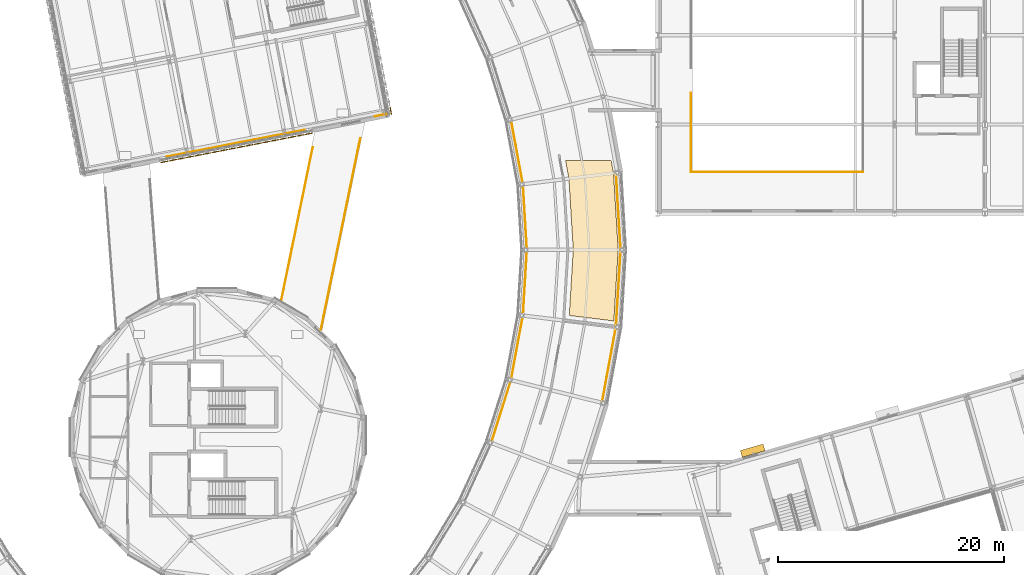
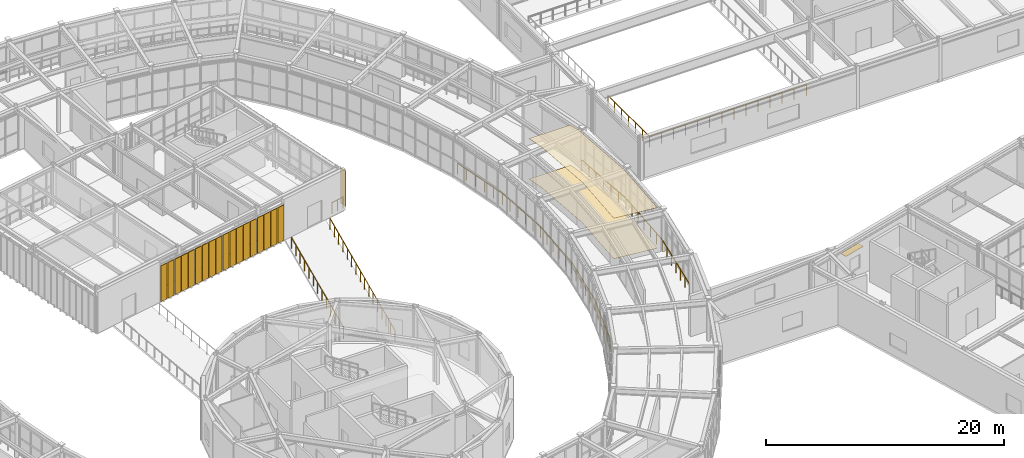
# One storey, part 96 of 103: 20 shading devices, 14 railings, 2 coverings.
"""IFC4 building model written with IfcOpenShell, lengths in metres."""

from ifc_helpers import new_model, si_unit, direction, frame, origin, origin_2d, place, context, subcontext, project, spatial, polyline, rectangle, circle, outline, extrude, material, layer, layer_set, type_object, element, save


model = new_model("IFC4")

# Units and contexts
model_context = context("Model", 3, precision=1e-05, world=origin(), true_north=direction((0.0, 1.0)))
body_context = subcontext(model_context, "Body", "Model", "MODEL_VIEW")
ifc_project = project(units=[si_unit("LENGTHUNIT", "METRE"), si_unit("AREAUNIT", "SQUARE_METRE"), si_unit("VOLUMEUNIT", "CUBIC_METRE"), si_unit("PLANEANGLEUNIT", "RADIAN"), si_unit("MASSUNIT", "GRAM", prefix="KILO")], contexts=[model_context])

# Site, building, storey
site_placement = place(None, origin())
site = spatial("IfcSite", under=ifc_project, at=site_placement, CompositionType="ELEMENT")
building_placement = place(site_placement, origin())
building = spatial("IfcBuilding", under=site, at=building_placement, Name="Varnklinge Art Gallery", CompositionType="ELEMENT")
storey_placement = place(building_placement, frame((0.0, 0.0, 5.10009765625)))
storey = spatial("IfcBuildingStorey", under=building, at=storey_placement, Name="L01", CompositionType="ELEMENT", Elevation=5.10009765625)

# Railings
ifc_material_1 = material(Name="Anodised Aluminium", Category="aluminium")
railing_type_1 = type_object("IfcRailingType", Name="BAL-01", PredefinedType="BALUSTRADE", material=ifc_material_1)
railing_1_placement = place(storey_placement, frame((99.69482421875, 37.90576171875, 0.0)))
element("IfcRailing", 1, at=railing_1_placement, inside=storey, type_object=railing_type_1, Name="L01 Ring Inner Glazing Guard 04", PredefinedType="BALUSTRADE", context=body_context, shape_type="SweptSolid", body=[
    extrude(circle(Radius=0.02392578125, at=origin_2d()), frame((0.0, 0.0, 1.11572265625), z_axis=(0.299728477264, 0.954024548907, 0.0), x_axis=(-0.954024548907, 0.299728477264, 0.0)), (0.0, 0.0, 1.0), 5.8232421875),
    extrude(circle(Radius=0.02099609375, at=origin_2d()), origin(), (0.0, 0.0, 1.0), 1.091796875),
    extrude(circle(Radius=0.02099609375, at=origin_2d()), frame((0.34912109375, 1.111083984375, 0.0)), (0.0, 0.0, 1.0), 1.091796875),
    extrude(circle(Radius=0.02099609375, at=origin_2d()), frame((0.6982421875, 2.22216796875, 0.0)), (0.0, 0.0, 1.0), 1.091796875),
    extrude(circle(Radius=0.02099609375, at=origin_2d()), frame((1.047119140625, 3.333251953125, 0.0)), (0.0, 0.0, 1.0), 1.091796875),
    extrude(circle(Radius=0.02099609375, at=origin_2d()), frame((1.396240234375, 4.4443359375, 0.0)), (0.0, 0.0, 1.0), 1.091796875),
    extrude(circle(Radius=0.02099609375, at=origin_2d()), frame((1.745361328125, 5.555419921875, 0.0)), (0.0, 0.0, 1.0), 1.091796875),
])
railing_2_placement = place(storey_placement, frame((109.490966796875, 41.4609375, 0.0)))
element("IfcRailing", 2, at=railing_2_placement, inside=storey, type_object=railing_type_1, Name="L01 Ring Outer Glazing Guard 05", PredefinedType="BALUSTRADE", context=body_context, shape_type="SweptSolid", body=[
    extrude(circle(Radius=0.02392578125, at=origin_2d()), frame((0.0, 0.0, 1.11572265625), z_axis=(0.18162349741, 0.983368143265, 0.0), x_axis=(-0.983368143265, 0.18162349741, 0.0)), (0.0, 0.0, 1.0), 6.83251953125),
    extrude(circle(Radius=0.02099609375, at=origin_2d()), origin(), (0.0, 0.0, 1.0), 1.091796875),
    extrude(circle(Radius=0.02099609375, at=origin_2d()), frame((0.206787109375, 1.119873046875, 0.0)), (0.0, 0.0, 1.0), 1.091796875),
    extrude(circle(Radius=0.02099609375, at=origin_2d()), frame((0.41357421875, 2.23974609375, 0.0)), (0.0, 0.0, 1.0), 1.091796875),
    extrude(circle(Radius=0.02099609375, at=origin_2d()), frame((0.62060546875, 3.359375, 0.0)), (0.0, 0.0, 1.0), 1.091796875),
    extrude(circle(Radius=0.02099609375, at=origin_2d()), frame((0.827392578125, 4.479248046875, 0.0)), (0.0, 0.0, 1.0), 1.091796875),
    extrude(circle(Radius=0.02099609375, at=origin_2d()), frame((1.0341796875, 5.59912109375, 0.0)), (0.0, 0.0, 1.0), 1.091796875),
    extrude(circle(Radius=0.02099609375, at=origin_2d()), frame((1.240966796875, 6.718994140625, 0.0)), (0.0, 0.0, 1.0), 1.091796875),
])
railing_3_placement = place(storey_placement, frame((101.440185546875, 43.461181640625, 0.0)))
element("IfcRailing", 3, at=railing_3_placement, inside=storey, type_object=railing_type_1, Name="L01 Ring Inner Glazing Guard 05", PredefinedType="BALUSTRADE", context=body_context, shape_type="SweptSolid", body=[
    extrude(circle(Radius=0.02392578125, at=origin_2d()), frame((0.0, 0.0, 1.11572265625), z_axis=(0.181662871488, 0.983360870242, 0.0), x_axis=(-0.983360870242, 0.181662871488, 0.0)), (0.0, 0.0, 1.0), 5.8232421875),
    extrude(circle(Radius=0.02099609375, at=origin_2d()), origin(), (0.0, 0.0, 1.0), 1.091796875),
    extrude(circle(Radius=0.02099609375, at=origin_2d()), frame((0.211669921875, 1.145263671875, 0.0)), (0.0, 0.0, 1.0), 1.091796875),
    extrude(circle(Radius=0.02099609375, at=origin_2d()), frame((0.423095703125, 2.29052734375, 0.0)), (0.0, 0.0, 1.0), 1.091796875),
    extrude(circle(Radius=0.02099609375, at=origin_2d()), frame((0.634765625, 3.435791015625, 0.0)), (0.0, 0.0, 1.0), 1.091796875),
    extrude(circle(Radius=0.02099609375, at=origin_2d()), frame((0.84619140625, 4.5810546875, 0.0)), (0.0, 0.0, 1.0), 1.091796875),
    extrude(circle(Radius=0.02099609375, at=origin_2d()), frame((1.057861328125, 5.726318359375, 0.0)), (0.0, 0.0, 1.0), 1.091796875),
])
railing_4_placement = place(storey_placement, frame((110.73193359375, 48.179931640625, 0.0)))
element("IfcRailing", 4, at=railing_4_placement, inside=storey, type_object=railing_type_1, Name="L01 Ring Outer Glazing Guard 06", PredefinedType="BALUSTRADE", context=body_context, shape_type="SweptSolid", body=[
    extrude(circle(Radius=0.02392578125, at=origin_2d()), frame((0.0, 0.0, 1.11572265625), z_axis=(0.060849980663, 0.998146922979, 0.0), x_axis=(-0.998146922979, 0.060849980663, 0.0)), (0.0, 0.0, 1.0), 6.832763671875),
    extrude(circle(Radius=0.02099609375, at=origin_2d()), origin(), (0.0, 0.0, 1.0), 1.091796875),
    extrude(circle(Radius=0.02099609375, at=origin_2d()), frame((0.0693359375, 1.13671875, 0.0)), (0.0, 0.0, 1.0), 1.091796875),
    extrude(circle(Radius=0.02099609375, at=origin_2d()), frame((0.138671875, 2.2734375, 0.0)), (0.0, 0.0, 1.0), 1.091796875),
    extrude(circle(Radius=0.02099609375, at=origin_2d()), frame((0.2080078125, 3.41015625, 0.0)), (0.0, 0.0, 1.0), 1.091796875),
    extrude(circle(Radius=0.02099609375, at=origin_2d()), frame((0.277099609375, 4.546630859375, 0.0)), (0.0, 0.0, 1.0), 1.091796875),
    extrude(circle(Radius=0.02099609375, at=origin_2d()), frame((0.346435546875, 5.683349609375, 0.0)), (0.0, 0.0, 1.0), 1.091796875),
    extrude(circle(Radius=0.02099609375, at=origin_2d()), frame((0.415771484375, 6.820068359375, 0.0)), (0.0, 0.0, 1.0), 1.091796875),
])
railing_5_placement = place(storey_placement, frame((102.498046875, 49.1875, 0.0)))
element("IfcRailing", 5, at=railing_5_placement, inside=storey, type_object=railing_type_1, Name="L01 Ring Inner Glazing Guard 06", PredefinedType="BALUSTRADE", context=body_context, shape_type="SweptSolid", body=[
    extrude(circle(Radius=0.02392578125, at=origin_2d()), frame((0.0, 0.0, 1.11572265625), z_axis=(0.060833026075, 0.998147956437, 0.0), x_axis=(-0.998147956437, 0.060833026075, 0.0)), (0.0, 0.0, 1.0), 5.8232421875),
    extrude(circle(Radius=0.02099609375, at=origin_2d()), origin(), (0.0, 0.0, 1.0), 1.091796875),
    extrude(circle(Radius=0.02099609375, at=origin_2d()), frame((0.07080078125, 1.16259765625, 0.0)), (0.0, 0.0, 1.0), 1.091796875),
    extrude(circle(Radius=0.02099609375, at=origin_2d()), frame((0.1416015625, 2.324951171875, 0.0)), (0.0, 0.0, 1.0), 1.091796875),
    extrude(circle(Radius=0.02099609375, at=origin_2d()), frame((0.212646484375, 3.487548828125, 0.0)), (0.0, 0.0, 1.0), 1.091796875),
    extrude(circle(Radius=0.02099609375, at=origin_2d()), frame((0.283447265625, 4.64990234375, 0.0)), (0.0, 0.0, 1.0), 1.091796875),
    extrude(circle(Radius=0.02099609375, at=origin_2d()), frame((0.354248046875, 5.8125, 0.0)), (0.0, 0.0, 1.0), 1.091796875),
])
railing_6_placement = place(storey_placement, frame((111.147705078125, 55.0, 0.0)))
element("IfcRailing", 6, at=railing_6_placement, inside=storey, type_object=railing_type_1, Name="L01 Ring Outer Glazing Guard 07", PredefinedType="BALUSTRADE", context=body_context, shape_type="SweptSolid", body=[
    extrude(circle(Radius=0.02392578125, at=origin_2d()), frame((0.0, 0.0, 1.11572265625), z_axis=(-0.060849980663, 0.998146922979, 0.0), x_axis=(-0.998146922979, -0.060849980663, 0.0)), (0.0, 0.0, 1.0), 6.832763671875),
    extrude(circle(Radius=0.02099609375, at=origin_2d()), origin(), (0.0, 0.0, 1.0), 1.091796875),
    extrude(circle(Radius=0.02099609375, at=origin_2d()), frame((-0.0693359375, 1.13671875, 0.0)), (0.0, 0.0, 1.0), 1.091796875),
    extrude(circle(Radius=0.02099609375, at=origin_2d()), frame((-0.138671875, 2.2734375, 0.0)), (0.0, 0.0, 1.0), 1.091796875),
    extrude(circle(Radius=0.02099609375, at=origin_2d()), frame((-0.2080078125, 3.41015625, 0.0)), (0.0, 0.0, 1.0), 1.091796875),
    extrude(circle(Radius=0.02099609375, at=origin_2d()), frame((-0.277099609375, 4.546630859375, 0.0)), (0.0, 0.0, 1.0), 1.091796875),
    extrude(circle(Radius=0.02099609375, at=origin_2d()), frame((-0.346435546875, 5.683349609375, 0.0)), (0.0, 0.0, 1.0), 1.091796875),
    extrude(circle(Radius=0.02099609375, at=origin_2d()), frame((-0.415771484375, 6.820068359375, 0.0)), (0.0, 0.0, 1.0), 1.091796875),
])
railing_7_placement = place(storey_placement, frame((102.852294921875, 55.0, 0.0)))
element("IfcRailing", 7, at=railing_7_placement, inside=storey, type_object=railing_type_1, Name="L01 Ring Inner Glazing Guard 07", PredefinedType="BALUSTRADE", context=body_context, shape_type="SweptSolid", body=[
    extrude(circle(Radius=0.02392578125, at=origin_2d()), frame((0.0, 0.0, 1.11572265625), z_axis=(-0.060833026075, 0.998147956437, 0.0), x_axis=(-0.998147956437, -0.060833026075, 0.0)), (0.0, 0.0, 1.0), 5.8232421875),
    extrude(circle(Radius=0.02099609375, at=origin_2d()), origin(), (0.0, 0.0, 1.0), 1.091796875),
    extrude(circle(Radius=0.02099609375, at=origin_2d()), frame((-0.07080078125, 1.16259765625, 0.0)), (0.0, 0.0, 1.0), 1.091796875),
    extrude(circle(Radius=0.02099609375, at=origin_2d()), frame((-0.1416015625, 2.324951171875, 0.0)), (0.0, 0.0, 1.0), 1.091796875),
    extrude(circle(Radius=0.02099609375, at=origin_2d()), frame((-0.212646484375, 3.487548828125, 0.0)), (0.0, 0.0, 1.0), 1.091796875),
    extrude(circle(Radius=0.02099609375, at=origin_2d()), frame((-0.283447265625, 4.64990234375, 0.0)), (0.0, 0.0, 1.0), 1.091796875),
    extrude(circle(Radius=0.02099609375, at=origin_2d()), frame((-0.354248046875, 5.8125, 0.0)), (0.0, 0.0, 1.0), 1.091796875),
])
railing_8_placement = place(storey_placement, frame((102.498046875, 60.8125, 0.0)))
element("IfcRailing", 8, at=railing_8_placement, inside=storey, type_object=railing_type_1, Name="L01 Ring Inner Glazing Guard 08", PredefinedType="BALUSTRADE", context=body_context, shape_type="SweptSolid", body=[
    extrude(circle(Radius=0.02392578125, at=origin_2d()), frame((0.0, 0.0, 1.11572265625), z_axis=(-0.181662871488, 0.983360870242, 0.0), x_axis=(-0.983360870242, -0.181662871488, 0.0)), (0.0, 0.0, 1.0), 5.8232421875),
    extrude(circle(Radius=0.02099609375, at=origin_2d()), origin(), (0.0, 0.0, 1.0), 1.091796875),
    extrude(circle(Radius=0.02099609375, at=origin_2d()), frame((-0.211669921875, 1.145263671875, 0.0)), (0.0, 0.0, 1.0), 1.091796875),
    extrude(circle(Radius=0.02099609375, at=origin_2d()), frame((-0.423095703125, 2.29052734375, 0.0)), (0.0, 0.0, 1.0), 1.091796875),
    extrude(circle(Radius=0.02099609375, at=origin_2d()), frame((-0.634765625, 3.435791015625, 0.0)), (0.0, 0.0, 1.0), 1.091796875),
    extrude(circle(Radius=0.02099609375, at=origin_2d()), frame((-0.84619140625, 4.5810546875, 0.0)), (0.0, 0.0, 1.0), 1.091796875),
    extrude(circle(Radius=0.02099609375, at=origin_2d()), frame((-1.057861328125, 5.726318359375, 0.0)), (0.0, 0.0, 1.0), 1.091796875),
])
railing_9_placement = place(storey_placement, frame((70.9892578125, 63.24951171875, 0.0)))
element("IfcRailing", 9, at=railing_9_placement, inside=storey, type_object=railing_type_1, Name="BAL-V4B-L01-1-1-2", PredefinedType="BALUSTRADE", context=body_context, shape_type="SweptSolid", body=[
    extrude(circle(Radius=0.02392578125, at=origin_2d()), frame((0.0, 0.0, 1.11572265625), z_axis=(0.981627698092, 0.190806347742, 0.0), x_axis=(-0.190806347742, 0.981627698092, 0.0)), (0.0, 0.0, 1.0), 12.3857421875),
    extrude(circle(Radius=0.02099609375, at=origin_2d()), origin(), (0.0, 0.0, 1.0), 1.091796875),
    extrude(circle(Radius=0.02099609375, at=origin_2d()), frame((1.105224609375, 0.21484375, 0.0)), (0.0, 0.0, 1.0), 1.091796875),
    extrude(circle(Radius=0.02099609375, at=origin_2d()), frame((2.210693359375, 0.4296875, 0.0)), (0.0, 0.0, 1.0), 1.091796875),
    extrude(circle(Radius=0.02099609375, at=origin_2d()), frame((3.31591796875, 0.64453125, 0.0)), (0.0, 0.0, 1.0), 1.091796875),
    extrude(circle(Radius=0.02099609375, at=origin_2d()), frame((4.421142578125, 0.859375, 0.0)), (0.0, 0.0, 1.0), 1.091796875),
    extrude(circle(Radius=0.02099609375, at=origin_2d()), frame((5.5263671875, 1.07421875, 0.0)), (0.0, 0.0, 1.0), 1.091796875),
    extrude(circle(Radius=0.02099609375, at=origin_2d()), frame((6.6318359375, 1.2890625, 0.0)), (0.0, 0.0, 1.0), 1.091796875),
    extrude(circle(Radius=0.02099609375, at=origin_2d()), frame((7.737060546875, 1.50390625, 0.0)), (0.0, 0.0, 1.0), 1.091796875),
    extrude(circle(Radius=0.02099609375, at=origin_2d()), frame((8.84228515625, 1.71875, 0.0)), (0.0, 0.0, 1.0), 1.091796875),
    extrude(circle(Radius=0.02099609375, at=origin_2d()), frame((9.947509765625, 1.93359375, 0.0)), (0.0, 0.0, 1.0), 1.091796875),
    extrude(circle(Radius=0.02099609375, at=origin_2d()), frame((11.052978515625, 2.1484375, 0.0)), (0.0, 0.0, 1.0), 1.091796875),
    extrude(circle(Radius=0.02099609375, at=origin_2d()), frame((12.158203125, 2.36328125, 0.0)), (0.0, 0.0, 1.0), 1.091796875),
])
railing_10_placement = place(storey_placement, frame((89.41259765625, 66.83056640625, 0.0)))
element("IfcRailing", 10, at=railing_10_placement, inside=storey, type_object=railing_type_1, Name="BAL-V4B-L01-1-1-3", PredefinedType="BALUSTRADE", context=body_context, shape_type="SweptSolid", body=[
    extrude(circle(Radius=0.02392578125, at=origin_2d()), frame((0.0, 0.0, 1.11572265625), z_axis=(0.981639240836, 0.190746955021, 0.0), x_axis=(-0.190746955021, 0.981639240836, 0.0)), (0.0, 0.0, 1.0), 1.224853515625),
    extrude(circle(Radius=0.02099609375, at=origin_2d()), origin(), (0.0, 0.0, 1.0), 1.091796875),
    extrude(circle(Radius=0.02099609375, at=origin_2d()), frame((0.60107421875, 0.11669921875, 0.0)), (0.0, 0.0, 1.0), 1.091796875),
    extrude(circle(Radius=0.02099609375, at=origin_2d()), frame((1.202392578125, 0.233642578125, 0.0)), (0.0, 0.0, 1.0), 1.091796875),
])
railing_11_placement = place(storey_placement, frame((117.3798828125, 61.8798828125, 0.0)))
element("IfcRailing", 11, at=railing_11_placement, inside=storey, type_object=railing_type_1, Name="L01 Atrium Void Balustrade 1.3A", PredefinedType="BALUSTRADE", context=body_context, shape_type="SweptSolid", body=[
    extrude(circle(Radius=0.02392578125, at=origin_2d()), frame((0.0, 0.0, 1.11572265625), z_axis=(0.0, 1.0, 0.0), x_axis=(-1.0, 0.0, 0.0)), (0.0, 0.0, 1.0), 7.0),
    extrude(circle(Radius=0.02099609375, at=origin_2d()), origin(), (0.0, 0.0, 1.0), 1.091796875),
    extrude(circle(Radius=0.02099609375, at=origin_2d()), frame((0.0, 1.166748046875, 0.0)), (0.0, 0.0, 1.0), 1.091796875),
    extrude(circle(Radius=0.02099609375, at=origin_2d()), frame((0.0, 2.333251953125, 0.0)), (0.0, 0.0, 1.0), 1.091796875),
    extrude(circle(Radius=0.02099609375, at=origin_2d()), frame((0.0, 3.5, 0.0)), (0.0, 0.0, 1.0), 1.091796875),
    extrude(circle(Radius=0.02099609375, at=origin_2d()), frame((0.0, 4.666748046875, 0.0)), (0.0, 0.0, 1.0), 1.091796875),
    extrude(circle(Radius=0.02099609375, at=origin_2d()), frame((0.0, 5.833251953125, 0.0)), (0.0, 0.0, 1.0), 1.091796875),
    extrude(circle(Radius=0.02099609375, at=origin_2d()), frame((0.0, 7.0, 0.0)), (0.0, 0.0, 1.0), 1.091796875),
])
railing_12_placement = place(storey_placement, frame((117.3798828125, 61.8798828125, 0.0)))
element("IfcRailing", 12, at=railing_12_placement, inside=storey, type_object=railing_type_1, Name="L01 Atrium Void Balustrade 1.4", PredefinedType="BALUSTRADE", context=body_context, shape_type="SweptSolid", body=[
    extrude(circle(Radius=0.02392578125, at=origin_2d()), frame((0.0, 0.0, 1.11572265625), z_axis=(1.0, 0.0, 0.0), x_axis=(0.0, 1.0, 0.0)), (0.0, 0.0, 1.0), 15.240234375),
    extrude(circle(Radius=0.02099609375, at=origin_2d()), origin(), (0.0, 0.0, 1.0), 1.091796875),
    extrude(circle(Radius=0.02099609375, at=origin_2d()), frame((1.17236328125, 0.0, 0.0)), (0.0, 0.0, 1.0), 1.091796875),
    extrude(circle(Radius=0.02099609375, at=origin_2d()), frame((2.3447265625, 0.0, 0.0)), (0.0, 0.0, 1.0), 1.091796875),
    extrude(circle(Radius=0.02099609375, at=origin_2d()), frame((3.51708984375, 0.0, 0.0)), (0.0, 0.0, 1.0), 1.091796875),
    extrude(circle(Radius=0.02099609375, at=origin_2d()), frame((4.689208984375, 0.0, 0.0)), (0.0, 0.0, 1.0), 1.091796875),
    extrude(circle(Radius=0.02099609375, at=origin_2d()), frame((5.861572265625, 0.0, 0.0)), (0.0, 0.0, 1.0), 1.091796875),
    extrude(circle(Radius=0.02099609375, at=origin_2d()), frame((7.033935546875, 0.0, 0.0)), (0.0, 0.0, 1.0), 1.091796875),
    extrude(circle(Radius=0.02099609375, at=origin_2d()), frame((8.206298828125, 0.0, 0.0)), (0.0, 0.0, 1.0), 1.091796875),
    extrude(circle(Radius=0.02099609375, at=origin_2d()), frame((9.378662109375, 0.0, 0.0)), (0.0, 0.0, 1.0), 1.091796875),
    extrude(circle(Radius=0.02099609375, at=origin_2d()), frame((10.551025390625, 0.0, 0.0)), (0.0, 0.0, 1.0), 1.091796875),
    extrude(circle(Radius=0.02099609375, at=origin_2d()), frame((11.72314453125, 0.0, 0.0)), (0.0, 0.0, 1.0), 1.091796875),
    extrude(circle(Radius=0.02099609375, at=origin_2d()), frame((12.8955078125, 0.0, 0.0)), (0.0, 0.0, 1.0), 1.091796875),
    extrude(circle(Radius=0.02099609375, at=origin_2d()), frame((14.06787109375, 0.0, 0.0)), (0.0, 0.0, 1.0), 1.091796875),
    extrude(circle(Radius=0.02099609375, at=origin_2d()), frame((15.240234375, 0.0, 0.0)), (0.0, 0.0, 1.0), 1.091796875),
])
ifc_material_2 = material(Name="Anodised Aluminium", Category="aluminium")
railing_type_2 = type_object("IfcRailingType", Name="BAL-EXT", PredefinedType="BALUSTRADE", material=ifc_material_2)
railing_13_placement = place(storey_placement, frame((84.616455078125, 47.962158203125, 0.0)))
element("IfcRailing", 13, at=railing_13_placement, inside=storey, type_object=railing_type_2, Name="L01 East Sculpture Court Bridge Balustrade W1", PredefinedType="BALUSTRADE", context=body_context, shape_type="SweptSolid", body=[
    extrude(circle(Radius=0.02392578125, at=origin_2d()), frame((0.0, 0.0, 1.1357421875), z_axis=(0.20142494203, 0.97950395238, 0.0), x_axis=(-0.97950395238, 0.20142494203, 0.0)), (0.0, 0.0, 1.0), 17.253662109375),
    extrude(circle(Radius=0.02099609375, at=origin_2d()), origin(), (0.0, 0.0, 1.0), 1.11181640625),
    extrude(circle(Radius=0.02099609375, at=origin_2d()), frame((0.231689453125, 1.126708984375, 0.0)), (0.0, 0.0, 1.0), 1.11181640625),
    extrude(circle(Radius=0.02099609375, at=origin_2d()), frame((0.46337890625, 2.25341796875, 0.0)), (0.0, 0.0, 1.0), 1.11181640625),
    extrude(circle(Radius=0.02099609375, at=origin_2d()), frame((0.695068359375, 3.380126953125, 0.0)), (0.0, 0.0, 1.0), 1.11181640625),
    extrude(circle(Radius=0.02099609375, at=origin_2d()), frame((0.9267578125, 4.506591796875, 0.0)), (0.0, 0.0, 1.0), 1.11181640625),
    extrude(circle(Radius=0.02099609375, at=origin_2d()), frame((1.158447265625, 5.63330078125, 0.0)), (0.0, 0.0, 1.0), 1.11181640625),
    extrude(circle(Radius=0.02099609375, at=origin_2d()), frame((1.39013671875, 6.760009765625, 0.0)), (0.0, 0.0, 1.0), 1.11181640625),
    extrude(circle(Radius=0.02099609375, at=origin_2d()), frame((1.621826171875, 7.88671875, 0.0)), (0.0, 0.0, 1.0), 1.11181640625),
    extrude(circle(Radius=0.02099609375, at=origin_2d()), frame((1.853515625, 9.013427734375, 0.0)), (0.0, 0.0, 1.0), 1.11181640625),
    extrude(circle(Radius=0.02099609375, at=origin_2d()), frame((2.085205078125, 10.14013671875, 0.0)), (0.0, 0.0, 1.0), 1.11181640625),
    extrude(circle(Radius=0.02099609375, at=origin_2d()), frame((2.31689453125, 11.266845703125, 0.0)), (0.0, 0.0, 1.0), 1.11181640625),
    extrude(circle(Radius=0.02099609375, at=origin_2d()), frame((2.548583984375, 12.3935546875, 0.0)), (0.0, 0.0, 1.0), 1.11181640625),
    extrude(circle(Radius=0.02099609375, at=origin_2d()), frame((2.7802734375, 13.52001953125, 0.0)), (0.0, 0.0, 1.0), 1.11181640625),
    extrude(circle(Radius=0.02099609375, at=origin_2d()), frame((3.011962890625, 14.646728515625, 0.0)), (0.0, 0.0, 1.0), 1.11181640625),
    extrude(circle(Radius=0.02099609375, at=origin_2d()), frame((3.24365234375, 15.7734375, 0.0)), (0.0, 0.0, 1.0), 1.11181640625),
    extrude(circle(Radius=0.02099609375, at=origin_2d()), frame((3.475341796875, 16.900146484375, 0.0)), (0.0, 0.0, 1.0), 1.11181640625),
])
railing_14_placement = place(storey_placement, frame((81.084228515625, 50.4453125, 0.0)))
element("IfcRailing", 14, at=railing_14_placement, inside=storey, type_object=railing_type_2, Name="L01 East Sculpture Court Bridge Balustrade E1", PredefinedType="BALUSTRADE", context=body_context, shape_type="SweptSolid", body=[
    extrude(circle(Radius=0.02392578125, at=origin_2d()), frame((0.0, 0.0, 1.1357421875), z_axis=(0.201432069755, 0.97950248661, 0.0), x_axis=(-0.97950248661, 0.201432069755, 0.0)), (0.0, 0.0, 1.0), 13.91162109375),
    extrude(circle(Radius=0.02099609375, at=origin_2d()), origin(), (0.0, 0.0, 1.0), 1.11181640625),
    extrude(circle(Radius=0.02099609375, at=origin_2d()), frame((0.2333984375, 1.135498046875, 0.0)), (0.0, 0.0, 1.0), 1.11181640625),
    extrude(circle(Radius=0.02099609375, at=origin_2d()), frame((0.467041015625, 2.27099609375, 0.0)), (0.0, 0.0, 1.0), 1.11181640625),
    extrude(circle(Radius=0.02099609375, at=origin_2d()), frame((0.70068359375, 3.40673828125, 0.0)), (0.0, 0.0, 1.0), 1.11181640625),
    extrude(circle(Radius=0.02099609375, at=origin_2d()), frame((0.93408203125, 4.542236328125, 0.0)), (0.0, 0.0, 1.0), 1.11181640625),
    extrude(circle(Radius=0.02099609375, at=origin_2d()), frame((1.16748046875, 5.677734375, 0.0)), (0.0, 0.0, 1.0), 1.11181640625),
    extrude(circle(Radius=0.02099609375, at=origin_2d()), frame((1.401123046875, 6.813232421875, 0.0)), (0.0, 0.0, 1.0), 1.11181640625),
    extrude(circle(Radius=0.02099609375, at=origin_2d()), frame((1.634765625, 7.94873046875, 0.0)), (0.0, 0.0, 1.0), 1.11181640625),
    extrude(circle(Radius=0.02099609375, at=origin_2d()), frame((1.8681640625, 9.084228515625, 0.0)), (0.0, 0.0, 1.0), 1.11181640625),
    extrude(circle(Radius=0.02099609375, at=origin_2d()), frame((2.1015625, 10.2197265625, 0.0)), (0.0, 0.0, 1.0), 1.11181640625),
    extrude(circle(Radius=0.02099609375, at=origin_2d()), frame((2.335205078125, 11.35546875, 0.0)), (0.0, 0.0, 1.0), 1.11181640625),
    extrude(circle(Radius=0.02099609375, at=origin_2d()), frame((2.56884765625, 12.490966796875, 0.0)), (0.0, 0.0, 1.0), 1.11181640625),
    extrude(circle(Radius=0.02099609375, at=origin_2d()), frame((2.80224609375, 13.62646484375, 0.0)), (0.0, 0.0, 1.0), 1.11181640625),
])

# Coverings
ifc_material_3 = material(Name="Acoustic Mineral Tile", Category="mineral")
ifc_layer_1 = layer(ifc_material_3, 0.02490234375)
ifc_layer_set_1 = layer_set([ifc_layer_1], Name="Acoustic Mineral Tile")
covering_type_1 = type_object("IfcCoveringType", Name="CLG-AC", PredefinedType="CEILING", material=ifc_layer_set_1)
covering_1_placement = place(storey_placement, frame((0.0, 0.0, 4.15478515625)))
element("IfcCovering", 15, at=covering_1_placement, inside=storey, type_object=covering_type_1, Name="L01 Acoustic Mineral Ceiling 018", PredefinedType="CEILING", context=body_context, shape_type="SweptSolid", body=[
    extrude(outline(polyline([(110.543701171875, 48.706787109375), (110.92724609375, 55.0), (110.51318359375, 61.793212890625), (110.30859375, 62.89990234375), (106.26953125, 62.89990234375), (106.557861328125, 61.33984375), (106.565185546875, 61.279296875), (106.946044921875, 55.030517578125), (106.946044921875, 54.969482421875), (106.59375, 49.190185546875), (110.543701171875, 48.706787109375)])), origin(), (0.0, 0.0, 1.0), 0.025146484375),
])
ifc_material_4 = material(Name="Polished Terrazzo Flooring", Category="stone")
ifc_layer_2 = layer(ifc_material_4, 0.02001953125)
ifc_layer_set_2 = layer_set([ifc_layer_2], Name="Polished Terrazzo Flooring")
covering_type_2 = type_object("IfcCoveringType", Name="FLR-STN", PredefinedType="FLOORING", material=ifc_layer_set_2)
covering_2_placement = place(storey_placement, origin())
element("IfcCovering", 16, at=covering_2_placement, inside=storey, type_object=covering_type_2, Name="L01 Gallery Terrazzo Flooring 018", PredefinedType="FLOORING", context=body_context, shape_type="SweptSolid", body=[
    extrude(outline(polyline([(110.543701171875, 48.706787109375), (110.92724609375, 55.0), (110.51318359375, 61.793212890625), (110.30859375, 62.89990234375), (106.26953125, 62.89990234375), (106.557861328125, 61.33984375), (106.565185546875, 61.279296875), (106.946044921875, 55.030517578125), (106.946044921875, 54.969482421875), (106.59375, 49.190185546875), (110.543701171875, 48.706787109375)])), origin(), (0.0, 0.0, 1.0), 0.02001953125),
])

# Shading devices
ifc_material_5 = material(Name="Anodised Aluminium", Category="aluminium")
ifc_layer_3 = layer(ifc_material_5, 0.044921875)
ifc_layer_set_3 = layer_set([ifc_layer_3], Name="Anodised Aluminium")
shading_device_type_1 = type_object("IfcShadingDeviceType", Name="SHD-FIN", PredefinedType="JALOUSIE", material=ifc_layer_set_3)
shading_device_placement = place(storey_placement, frame((122.835205078125, 37.220947265625, 2.47509765625), z_axis=(0.0, 0.0, 1.0), x_axis=(0.961261695938, 0.275637355817, 0.0)))
element("IfcShadingDevice", 17, at=shading_device_placement, inside=storey, type_object=shading_device_type_1, Name="L01 Studio Solar Brise-Soleil Fin EW-V6-L01-02.1", PredefinedType="JALOUSIE", context=body_context, shape_type="SweptSolid", body=[
    extrude(rectangle(XDim=2.10009765625, YDim=0.6201171875, at=origin_2d()), origin(), (0.0, 0.0, 1.0), 0.050048828125),
])
ifc_material_6 = material(Name="Perforated Aluminium-Precast Lattice", Category="concrete")
ifc_layer_4 = layer(ifc_material_6, 0.06005859375)
ifc_layer_set_4 = layer_set([ifc_layer_4], Name="Perforated Aluminium-Precast Lattice")
shading_device_type_2 = type_object("IfcShadingDeviceType", Name="SHD-LAT", PredefinedType="USERDEFINED", material=ifc_layer_set_4)
for number, where, z_axis, x_axis, name in (
    (18, (70.747802734375, 62.794921875, 0.099853515625), (0.0, 0.0, 1.0), (0.981627183448, 0.190808995377, 0.0), "L01 Perforated Lattice Screen 1.2.1"),
    (19, (71.50048828125, 62.941162109375, 0.099853515625), (0.0, 0.0, 1.0), (0.981627183448, 0.190808995377, 0.0), "L01 Perforated Lattice Screen 1.2.2"),
    (20, (72.2529296875, 63.08740234375, 0.099853515625), (0.0, 0.0, 1.0), (0.981627183448, 0.190808995377, 0.0), "L01 Perforated Lattice Screen 1.2.3"),
    (21, (73.005615234375, 63.23388671875, 0.099853515625), (0.0, 0.0, 1.0), (0.981627183448, 0.190808995377, 0.0), "L01 Perforated Lattice Screen 1.2.4"),
    (22, (73.75830078125, 63.380126953125, 0.099853515625), (0.0, 0.0, 1.0), (0.981627183448, 0.190808995377, 0.0), "L01 Perforated Lattice Screen 1.2.5"),
    (23, (74.5107421875, 63.5263671875, 0.099853515625), (0.0, 0.0, 1.0), (0.981627183448, 0.190808995377, 0.0), "L01 Perforated Lattice Screen 1.2.6"),
    (24, (75.26318359375, 63.672607421875, 0.099853515625), (0.0, 0.0, 1.0), (0.981627183448, 0.190808995377, 0.0), "L01 Perforated Lattice Screen 1.2.7"),
    (25, (76.015869140625, 63.819091796875, 0.099853515625), (0.0, 0.0, 1.0), (0.981627183448, 0.190808995377, 0.0), "L01 Perforated Lattice Screen 1.2.8"),
    (26, (76.7685546875, 63.965087890625, 0.099853515625), (0.0, 0.0, 1.0), (0.981627183448, 0.190808995377, 0.0), "L01 Perforated Lattice Screen 1.2.9"),
    (27, (77.52099609375, 64.111572265625, 0.099853515625), (0.0, 0.0, 1.0), (0.981627183448, 0.190808995377, 0.0), "L01 Perforated Lattice Screen 1.3.1"),
    (28, (78.273681640625, 64.2578125, 0.099853515625), (0.0, 0.0, 1.0), (0.981627183448, 0.190808995377, 0.0), "L01 Perforated Lattice Screen 1.3.2"),
    (29, (79.026123046875, 64.404052734375, 0.099853515625), (0.0, 0.0, 1.0), (0.981627183448, 0.190808995377, 0.0), "L01 Perforated Lattice Screen 1.3.3"),
    (30, (79.77880859375, 64.55029296875, 0.099853515625), (0.0, 0.0, 1.0), (0.981627183448, 0.190808995377, 0.0), "L01 Perforated Lattice Screen 1.3.4"),
    (31, (80.531494140625, 64.69677734375, 0.099853515625), (0.0, 0.0, 1.0), (0.981627183448, 0.190808995377, 0.0), "L01 Perforated Lattice Screen 1.3.5"),
    (32, (81.283935546875, 64.843017578125, 0.099853515625), (0.0, 0.0, 1.0), (0.981627183448, 0.190808995377, 0.0), "L01 Perforated Lattice Screen 1.3.6"),
    (33, (82.03662109375, 64.9892578125, 0.099853515625), (0.0, 0.0, 1.0), (0.981627183448, 0.190808995377, 0.0), "L01 Perforated Lattice Screen 1.3.7"),
    (34, (82.789306640625, 65.135498046875, 0.099853515625), (0.0, 0.0, 1.0), (0.981627183448, 0.190808995377, 0.0), "L01 Perforated Lattice Screen 1.3.8"),
    (35, (83.541748046875, 65.28173828125, 0.099853515625), (0.0, 0.0, 1.0), (0.981627183448, 0.190808995377, 0.0), "L01 Perforated Lattice Screen 1.3.9"),
    (36, (90.788818359375, 67.322021484375, 0.099853515625), (0.0, 0.0, 1.0), (-0.190808995377, 0.981627183448, 0.0), "L01 Perforated Lattice Screen 2.1.1"),
):
    element("IfcShadingDevice", number, at=place(storey_placement, frame(where, z_axis=z_axis, x_axis=x_axis)), inside=storey, type_object=shading_device_type_2, Name=name, ObjectType="LATTICE SCREEN", PredefinedType="USERDEFINED", context=body_context, shape_type="SweptSolid", body=[
        extrude(rectangle(XDim=0.679931640625, YDim=0.06005859375, at=origin_2d()), origin(), (0.0, 0.0, 1.0), 3.64990234375),
    ])

save(model, "model.ifc")
